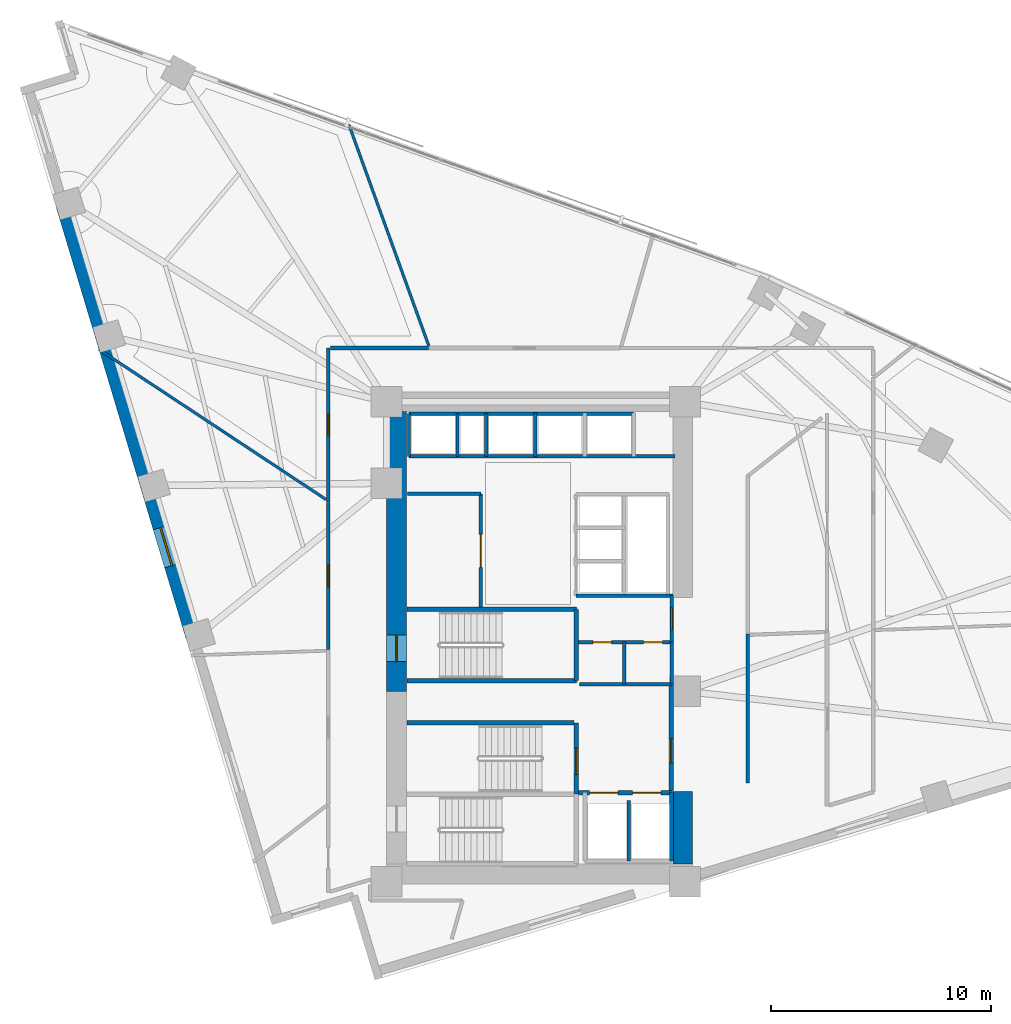
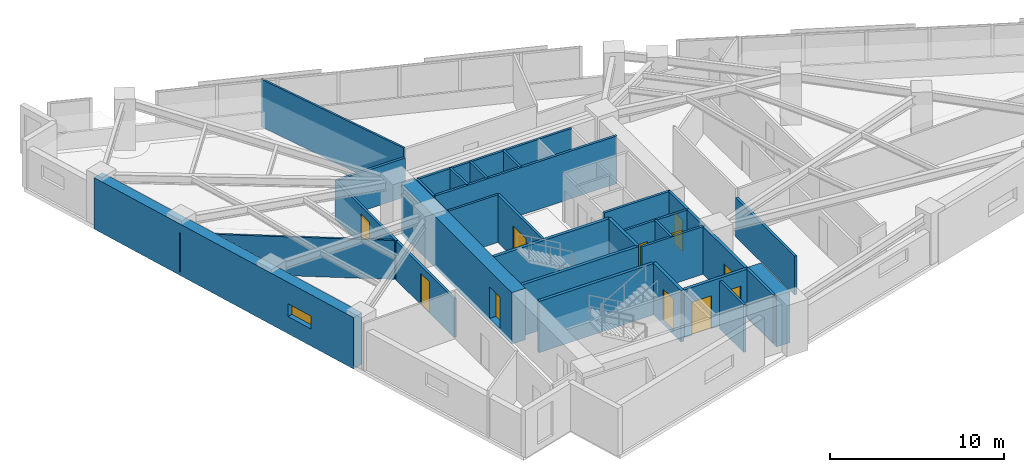
# One storey, part 10 of 15: 33 walls, 11 doors, 1 window, 12 openings.
"""IFC4 building model written with IfcOpenShell, lengths in metres."""

from ifc_helpers import new_model, si_unit, direction, frame, frame_2d, origin, place, context, subcontext, project, spatial, rectangle, extrude, material, layer, layer_set, type_object, element, fill, save


model = new_model("IFC4")

# Units and contexts
model_context = context("Model", 3, precision=1e-05, world=origin(), true_north=direction((0.0, 1.0)))
body_context = subcontext(model_context, "Body", "Model", "MODEL_VIEW")
ifc_project = project(units=[si_unit("LENGTHUNIT", "METRE"), si_unit("AREAUNIT", "SQUARE_METRE"), si_unit("VOLUMEUNIT", "CUBIC_METRE"), si_unit("PLANEANGLEUNIT", "RADIAN"), si_unit("MASSUNIT", "GRAM", prefix="KILO")], contexts=[model_context])

# Site, building, storey
site_placement = place(None, origin())
site = spatial("IfcSite", under=ifc_project, at=site_placement, CompositionType="ELEMENT")
building_placement = place(site_placement, origin())
building = spatial("IfcBuilding", under=site, at=building_placement, Name="Narakoshi Arena Tower", CompositionType="ELEMENT")
storey_placement = place(building_placement, frame((0.0, 0.0, 143.10009765625)))
storey = spatial("IfcBuildingStorey", under=building, at=storey_placement, Name="L38", CompositionType="ELEMENT", Elevation=143.10009765625)

# Wall
ifc_material_1 = material(Name="Concrete C60/75", Category="concrete")
ifc_layer_1 = layer(ifc_material_1, 0.89990234375)
ifc_layer_set_1 = layer_set([ifc_layer_1], Name="Concrete C60/75")
wall_type_1 = type_object("IfcWallType", Name="WL-CORE-900", PredefinedType="SHEAR", material=ifc_layer_set_1)
wall_1_placement = place(storey_placement, frame((85.449951171875, 35.5, -0.260009765625), z_axis=(0.0, 0.0, 1.0), x_axis=(0.0, 1.0, 0.0)))
element("IfcWall", 1, at=wall_1_placement, inside=storey, type_object=wall_type_1, Name="L38 Central Core Shear Wall CW-APX-E", PredefinedType="SHEAR", context=body_context, shape_type="SweptSolid", body=[
    extrude(rectangle(XDim=3.300048828125, YDim=0.89990234375, at=frame_2d((1.64990234375, 0.0))), origin(), (0.0, 0.0, 1.0), 3.599853515625),
])

# Wall, opening, door
wall_2_placement = place(storey_placement, frame((72.449951171875, 43.35009765625, -0.260009765625), z_axis=(0.0, 0.0, 1.0), x_axis=(0.0, 1.0, 0.0)))
wall_2 = element("IfcWall", 2, at=wall_2_placement, inside=storey, type_object=wall_type_1, Name="L38 Main Core Shear Wall CW-MN-W", PredefinedType="SHEAR", context=body_context, shape_type="SweptSolid", body=[
    extrude(rectangle(XDim=12.699951171875, YDim=0.89990234375, at=frame_2d((6.35009765625, 0.0))), origin(), (0.0, 0.0, 1.0), 3.599853515625),
])
opening_1_placement = place(wall_2_placement, frame((1.35009765625, 0.0, 0.260009765625)))
opening_1 = element("IfcOpeningElement", 3, at=opening_1_placement, cuts=wall_2, Name="Opening D-03", PredefinedType="OPENING", context=body_context, shape_type="SweptSolid", body=[
    extrude(rectangle(XDim=1.199951171875, YDim=2.199951171875, at=frame_2d((0.60009765625, 1.10009765625))), frame((0.0, 0.4599609375, 0.0), z_axis=(0.0, -1.0, 0.0), x_axis=(1.0, 0.0, 0.0)), (0.0, 0.0, 1.0), 0.919921875),
])
ifc_material_2 = material(Name="Painted galvanized steel", Category="steel")
door_type_1 = type_object("IfcDoorType", Name="DR-STR-1200", OperationType="NOTDEFINED", PredefinedType="USERDEFINED", material=ifc_material_2)
door_1_placement = place(opening_1_placement, frame((1.199951171875, 0.0, 0.0), z_axis=(0.0, 0.0, 1.0), x_axis=(-1.0, 0.0, 0.0)))
door_1 = element("IfcDoor", 4, at=door_1_placement, inside=storey, type_object=door_type_1, Name="DR-L38-006", ObjectType="EXITDOOR", OperationType="SINGLE_SWING_LEFT", OverallHeight=2.199951171875, OverallWidth=1.199951171875, PredefinedType="USERDEFINED", context=body_context, shape_type="SweptSolid", body=[
    extrude(rectangle(XDim=1.199951171875, YDim=2.199951171875, at=frame_2d((0.60009765625, 1.10009765625))), frame((0.0, 0.02490234375, 0.0), z_axis=(0.0, -1.0, 0.0), x_axis=(1.0, 0.0, 0.0)), (0.0, 0.0, 1.0), 0.050048828125),
])
fill(opening_1, door_1)

ifc_material_3 = material(Name="Gypsum plasterboard fire-rated partition")
ifc_layer_2 = layer(ifc_material_3, 0.1650390625)
ifc_layer_set_2 = layer_set([ifc_layer_2], Name="Gypsum plasterboard fire-rated partition")
wall_type_2 = type_object("IfcWallType", Name="WL-CORR-165", PredefinedType="PARTITIONING", material=ifc_layer_set_2)
wall_3_placement = place(storey_placement, frame((84.949951171875, 45.580078125, 0.0), z_axis=(0.0, 0.0, 1.0), x_axis=(0.0, 1.0, 0.0)))
wall_3 = element("IfcWall", 5, at=wall_3_placement, inside=storey, type_object=wall_type_2, Name="L38 Core Wall CPAS-E", PredefinedType="PARTITIONING", context=body_context, shape_type="SweptSolid", body=[
    extrude(rectangle(XDim=2.119873046875, YDim=0.1650390625, at=frame_2d((1.06005859375, 0.0))), origin(), (0.0, 0.0, 1.0), 3.33984375),
])
opening_2_placement = place(wall_3_placement, frame((0.56005859375, 0.0, 0.0)))
opening_2 = element("IfcOpeningElement", 6, at=opening_2_placement, cuts=wall_3, Name="Opening D-06", PredefinedType="OPENING", context=body_context, shape_type="SweptSolid", body=[
    extrude(rectangle(XDim=1.0, YDim=2.199951171875, at=frame_2d((0.5, 1.10009765625))), frame((0.0, 0.092529296875, 0.0), z_axis=(0.0, -1.0, 0.0), x_axis=(1.0, 0.0, 0.0)), (0.0, 0.0, 1.0), 0.18505859375),
])
ifc_material_4 = material(Name="Stained oak solid-core timber", Category="wood")
door_type_2 = type_object("IfcDoorType", Name="DR-OFF-1000", OperationType="NOTDEFINED", PredefinedType="DOOR", material=ifc_material_4)
door_2_placement = place(opening_2_placement, frame((1.0, 0.0, 0.0), z_axis=(0.0, 0.0, 1.0), x_axis=(-1.0, 0.0, 0.0)))
door_2 = element("IfcDoor", 7, at=door_2_placement, inside=storey, type_object=door_type_2, Name="DR-L38-007", OperationType="SINGLE_SWING_LEFT", OverallHeight=2.199951171875, OverallWidth=1.0, PredefinedType="DOOR", context=body_context, shape_type="SweptSolid", body=[
    extrude(rectangle(XDim=1.0, YDim=2.199951171875, at=frame_2d((0.5, 1.10009765625))), frame((0.0, 0.02490234375, 0.0), z_axis=(0.0, -1.0, 0.0), x_axis=(1.0, 0.0, 0.0)), (0.0, 0.0, 1.0), 0.050048828125),
])
fill(opening_2, door_2)

# Wall
wall_4_placement = place(storey_placement, frame((88.39990234375, 39.17578125, 0.0), z_axis=(0.0, 0.0, 1.0), x_axis=(0.0, 1.0, 0.0)))
element("IfcWall", 8, at=wall_4_placement, inside=storey, type_object=wall_type_2, Name="L38 Corridor Partition 03-3", PredefinedType="PARTITIONING", context=body_context, shape_type="SweptSolid", body=[
    extrude(rectangle(XDim=6.772705078125, YDim=0.1650390625, at=frame_2d((3.38623046875, 0.0))), origin(), (0.0, 0.0, 1.0), 2.724853515625),
])

# Wall, opening, door
wall_5_placement = place(storey_placement, frame((69.344970703125, 58.944091796875, 0.0), z_axis=(0.0, 0.0, 1.0), x_axis=(0.0, -1.0, 0.0)))
wall_5 = element("IfcWall", 9, at=wall_5_placement, inside=storey, type_object=wall_type_2, Name="L38 Corridor Partition 08-1", PredefinedType="PARTITIONING", context=body_context, shape_type="SweptSolid", body=[
    extrude(rectangle(XDim=6.988037109375, YDim=0.1650390625, at=frame_2d((3.494140625, 0.0))), origin(), (0.0, 0.0, 1.0), 2.724853515625),
])
opening_3_placement = place(wall_5_placement, frame((2.993896484375, 0.0, 0.0)))
opening_3 = element("IfcOpeningElement", 10, at=opening_3_placement, cuts=wall_5, Name="Opening D-06", PredefinedType="OPENING", context=body_context, shape_type="SweptSolid", body=[
    extrude(rectangle(XDim=1.0, YDim=2.199951171875, at=frame_2d((0.5, 1.10009765625))), frame((0.0, 0.092529296875, 0.0), z_axis=(0.0, -1.0, 0.0), x_axis=(1.0, 0.0, 0.0)), (0.0, 0.0, 1.0), 0.18505859375),
])
door_3_placement = place(opening_3_placement, frame((1.0, 0.0, 0.0), z_axis=(0.0, 0.0, 1.0), x_axis=(-1.0, 0.0, 0.0)))
door_3 = element("IfcDoor", 11, at=door_3_placement, inside=storey, type_object=door_type_2, Name="DR-L38-021", OperationType="SINGLE_SWING_LEFT", OverallHeight=2.199951171875, OverallWidth=1.0, PredefinedType="DOOR", context=body_context, shape_type="SweptSolid", body=[
    extrude(rectangle(XDim=1.0, YDim=2.199951171875, at=frame_2d((0.5, 1.10009765625))), frame((0.0, 0.02490234375, 0.0), z_axis=(0.0, -1.0, 0.0), x_axis=(1.0, 0.0, 0.0)), (0.0, 0.0, 1.0), 0.050048828125),
])
fill(opening_3, door_3)

# Wall
wall_6_placement = place(storey_placement, frame((73.890869140625, 58.944091796875, 0.0), z_axis=(0.0, 0.0, 1.0), x_axis=(-1.0, 0.0, 0.0)))
element("IfcWall", 12, at=wall_6_placement, inside=storey, type_object=wall_type_2, Name="L38 Corridor Partition 08-2", PredefinedType="PARTITIONING", context=body_context, shape_type="SweptSolid", body=[
    extrude(rectangle(XDim=4.451416015625, YDim=0.1650390625, at=frame_2d((2.2255859375, 0.0))), origin(), (0.0, 0.0, 1.0), 2.724853515625),
])

# Wall, opening, door
wall_7_placement = place(storey_placement, frame((69.344970703125, 51.927001953125, 0.0), z_axis=(0.0, 0.0, 1.0), x_axis=(0.0, -1.0, 0.0)))
wall_7 = element("IfcWall", 13, at=wall_7_placement, inside=storey, type_object=wall_type_2, Name="L38 Corridor Partition 09-1", PredefinedType="PARTITIONING", context=body_context, shape_type="SweptSolid", body=[
    extrude(rectangle(XDim=6.669921875, YDim=0.1650390625, at=frame_2d((3.3349609375, 0.0))), origin(), (0.0, 0.0, 1.0), 2.724853515625),
])
opening_4_placement = place(wall_7_placement, frame((2.835205078125, 0.0, 0.0)))
opening_4 = element("IfcOpeningElement", 14, at=opening_4_placement, cuts=wall_7, Name="Opening D-06", PredefinedType="OPENING", context=body_context, shape_type="SweptSolid", body=[
    extrude(rectangle(XDim=1.0, YDim=2.199951171875, at=frame_2d((0.5, 1.10009765625))), frame((0.0, 0.092529296875, 0.0), z_axis=(0.0, -1.0, 0.0), x_axis=(1.0, 0.0, 0.0)), (0.0, 0.0, 1.0), 0.18505859375),
])
door_4_placement = place(opening_4_placement, frame((1.0, 0.0, 0.0), z_axis=(0.0, 0.0, 1.0), x_axis=(-1.0, 0.0, 0.0)))
door_4 = element("IfcDoor", 15, at=door_4_placement, inside=storey, type_object=door_type_2, Name="DR-L38-022", OperationType="SINGLE_SWING_RIGHT", OverallHeight=2.199951171875, OverallWidth=1.0, PredefinedType="DOOR", context=body_context, shape_type="SweptSolid", body=[
    extrude(rectangle(XDim=1.0, YDim=2.199951171875, at=frame_2d((0.5, 1.10009765625))), frame((0.0, 0.02490234375, 0.0), z_axis=(0.0, -1.0, 0.0), x_axis=(1.0, 0.0, 0.0)), (0.0, 0.0, 1.0), 0.050048828125),
])
fill(opening_4, door_4)

# Wall, opening, window
ifc_layer_3 = layer(ifc_material_1, 0.699951171875)
ifc_layer_set_3 = layer_set([ifc_layer_3], Name="Concrete C60/75")
wall_type_3 = type_object("IfcWallType", Name="WL-LEG-700", PredefinedType="SHEAR", material=ifc_layer_set_3)
wall_8_placement = place(storey_placement, frame((57.322509765625, 65.434326171875, -0.260009765625), z_axis=(0.0, 0.0, 1.0), x_axis=(0.288188159352, -0.957573801234, 0.0)))
wall_8 = element("IfcWall", 16, at=wall_8_placement, inside=storey, type_object=wall_type_3, Name="L38 Architectural Concrete Structural Wall LEGB-2", PredefinedType="SHEAR", context=body_context, shape_type="SweptSolid", body=[
    extrude(rectangle(XDim=20.468994140625, YDim=0.699951171875, at=frame_2d((10.234375, 0.0))), origin(), (0.0, 0.0, 1.0), 3.599853515625),
])
opening_5_placement = place(wall_8_placement, frame((15.300048828125, 0.0, 1.199951171875)))
opening_5 = element("IfcOpeningElement", 17, at=opening_5_placement, cuts=wall_8, Name="Opening WN-02", PredefinedType="OPENING", context=body_context, shape_type="SweptSolid", body=[
    extrude(rectangle(XDim=1.800048828125, YDim=0.89990234375, at=frame_2d((0.89990234375, 0.449951171875))), frame((0.0, 0.35986328125, 0.0), z_axis=(0.0, -1.0, 0.0), x_axis=(1.0, 0.0, 0.0)), (0.0, 0.0, 1.0), 0.719970703125),
])
ifc_material_5 = material(Name="Bronze-tinted low-E laminated glass", Category="glass")
window_type = type_object("IfcWindowType", Name="WIN-SLT-18x09", PartitioningType="SINGLE_PANEL", PredefinedType="WINDOW", material=ifc_material_5)
window_placement = place(opening_5_placement, origin())
window = element("IfcWindow", 18, at=window_placement, inside=storey, type_object=window_type, Name="L38 LEGB2 Horizontal Slot Window 1", OverallHeight=0.89990234375, OverallWidth=1.800048828125, PartitioningType="SINGLE_PANEL", PredefinedType="WINDOW", context=body_context, shape_type="SweptSolid", body=[
    extrude(rectangle(XDim=1.800048828125, YDim=0.89990234375, at=frame_2d((0.89990234375, 0.449951171875))), frame((0.0, 0.030029296875, 0.0), z_axis=(0.0, -1.0, 0.0), x_axis=(1.0, 0.0, 0.0)), (0.0, 0.0, 1.0), 0.06005859375),
])
fill(opening_5, window)

# Walls
ifc_layer_4 = layer(ifc_material_3, 0.125)
ifc_layer_set_4 = layer_set([ifc_layer_4], Name="Gypsum plasterboard fire-rated partition")
wall_type_4 = type_object("IfcWallType", Name="WL-PART-125", PredefinedType="PARTITIONING", material=ifc_layer_set_4)
wall_9_placement = place(storey_placement, frame((73.91650390625, 59.03857421875, 0.0), z_axis=(0.0, 0.0, 1.0), x_axis=(-0.33969494852, 0.940535667559, 0.0)))
element("IfcWall", 19, at=wall_9_placement, inside=storey, type_object=wall_type_4, Name="L38 Inter-Room Partition 07-08", PredefinedType="PARTITIONING", context=body_context, shape_type="SweptSolid", body=[
    extrude(rectangle(XDim=10.695068359375, YDim=0.125, at=frame_2d((5.34765625, 0.0))), origin(), (0.0, 0.0, 1.0), 3.33984375),
])
wall_10_placement = place(storey_placement, frame((69.25048828125, 52.061767578125, 0.0), z_axis=(0.0, 0.0, 1.0), x_axis=(-0.834214251914, 0.551440460887, 0.0)))
element("IfcWall", 20, at=wall_10_placement, inside=storey, type_object=wall_type_4, Name="L38 Inter-Room Partition 08-09", PredefinedType="PARTITIONING", context=body_context, shape_type="SweptSolid", body=[
    extrude(rectangle(XDim=12.3740234375, YDim=0.125, at=frame_2d((6.18701171875, 0.0))), origin(), (0.0, 0.0, 1.0), 2.724853515625),
])
ifc_material_6 = material(Name="Concrete C40/50", Category="concrete")
ifc_layer_5 = layer(ifc_material_6, 0.280029296875)
ifc_layer_set_5 = layer_set([ifc_layer_5], Name="Concrete C40/50")
wall_type_5 = type_object("IfcWallType", Name="WL-RISER-280", PredefinedType="PLUMBINGWALL", material=ifc_layer_set_5)
wall_11_placement = place(storey_placement, frame((83.0, 35.64990234375, 0.0), z_axis=(0.0, 0.0, 1.0), x_axis=(0.0, 1.0, 0.0)))
element("IfcWall", 21, at=wall_11_placement, inside=storey, type_object=wall_type_5, Name="L38 Core Wall FF-DIV", PredefinedType="PLUMBINGWALL", context=body_context, shape_type="SweptSolid", body=[
    extrude(rectangle(XDim=2.75, YDim=0.159912109375, at=frame_2d((1.375, 0.0))), origin(), (0.0, 0.0, 1.0), 3.33984375),
])
wall_12_placement = place(storey_placement, frame((84.949951171875, 43.679931640625, 0.0), z_axis=(0.0, 0.0, 1.0), x_axis=(0.0, 1.0, 0.0)))
element("IfcWall", 22, at=wall_12_placement, inside=storey, type_object=wall_type_5, Name="L38 Core Wall RSR-E", PredefinedType="PLUMBINGWALL", context=body_context, shape_type="SweptSolid", body=[
    extrude(rectangle(XDim=1.900146484375, YDim=0.1650390625, at=frame_2d((0.9501953125, 0.0))), origin(), (0.0, 0.0, 1.0), 3.33984375),
])

# Wall, openings, doors
wall_13_placement = place(storey_placement, frame((80.719970703125, 45.580078125, 0.0), z_axis=(0.0, 0.0, 1.0), x_axis=(1.0, 0.0, 0.0)))
wall_13 = element("IfcWall", 23, at=wall_13_placement, inside=storey, type_object=wall_type_5, Name="L38 Core Wall RSR-N", PredefinedType="PLUMBINGWALL", context=body_context, shape_type="SweptSolid", body=[
    extrude(rectangle(XDim=4.22998046875, YDim=0.159912109375, at=frame_2d((2.114990234375, 0.0))), origin(), (0.0, 0.0, 1.0), 3.33984375),
])
opening_6_placement = place(wall_13_placement, frame((0.64990234375, 0.0, 0.0)))
opening_6 = element("IfcOpeningElement", 24, at=opening_6_placement, cuts=wall_13, Name="Opening D-10", PredefinedType="OPENING", context=body_context, shape_type="SweptSolid", body=[
    extrude(rectangle(XDim=0.85009765625, YDim=2.050048828125, at=frame_2d((0.425048828125, 1.02490234375))), frame((0.0, 0.08984375, 0.0), z_axis=(0.0, -1.0, 0.0), x_axis=(1.0, 0.0, 0.0)), (0.0, 0.0, 1.0), 0.179931640625),
])
opening_7_placement = place(wall_13_placement, frame((2.949951171875, 0.0, 0.0)))
opening_7 = element("IfcOpeningElement", 25, at=opening_7_placement, cuts=wall_13, Name="Opening D-10", PredefinedType="OPENING", context=body_context, shape_type="SweptSolid", body=[
    extrude(rectangle(XDim=0.85009765625, YDim=2.050048828125, at=frame_2d((0.425048828125, 1.02490234375))), frame((0.0, 0.08984375, 0.0), z_axis=(0.0, -1.0, 0.0), x_axis=(1.0, 0.0, 0.0)), (0.0, 0.0, 1.0), 0.179931640625),
])
door_type_3 = type_object("IfcDoorType", Name="DR-RSR-850", OperationType="NOTDEFINED", PredefinedType="DOOR", material=ifc_material_2)
door_5_placement = place(opening_6_placement, frame((0.85009765625, 0.0, 0.0), z_axis=(0.0, 0.0, 1.0), x_axis=(-1.0, 0.0, 0.0)))
door_5 = element("IfcDoor", 26, at=door_5_placement, inside=storey, type_object=door_type_3, Name="DR-L38-008", OperationType="SINGLE_SWING_LEFT", OverallHeight=2.050048828125, OverallWidth=0.85009765625, PredefinedType="DOOR", context=body_context, shape_type="SweptSolid", body=[
    extrude(rectangle(XDim=0.85009765625, YDim=2.050048828125, at=frame_2d((0.425048828125, 1.02490234375))), frame((0.0, 0.02490234375, 0.0), z_axis=(0.0, -1.0, 0.0), x_axis=(1.0, 0.0, 0.0)), (0.0, 0.0, 1.0), 0.050048828125),
])
fill(opening_6, door_5)
door_6_placement = place(opening_7_placement, frame((0.85009765625, 0.0, 0.0), z_axis=(0.0, 0.0, 1.0), x_axis=(-1.0, 0.0, 0.0)))
door_6 = element("IfcDoor", 27, at=door_6_placement, inside=storey, type_object=door_type_3, Name="DR-L38-009", OperationType="SINGLE_SWING_RIGHT", OverallHeight=2.050048828125, OverallWidth=0.85009765625, PredefinedType="DOOR", context=body_context, shape_type="SweptSolid", body=[
    extrude(rectangle(XDim=0.85009765625, YDim=2.050048828125, at=frame_2d((0.425048828125, 1.02490234375))), frame((0.0, 0.02490234375, 0.0), z_axis=(0.0, -1.0, 0.0), x_axis=(1.0, 0.0, 0.0)), (0.0, 0.0, 1.0), 0.050048828125),
])
fill(opening_7, door_6)

# Walls
wall_14_placement = place(storey_placement, frame((80.760009765625, 43.679931640625, 0.0), z_axis=(0.0, 0.0, 1.0), x_axis=(1.0, 0.0, 0.0)))
element("IfcWall", 28, at=wall_14_placement, inside=storey, type_object=wall_type_5, Name="L38 Core Wall RSR-S", PredefinedType="PLUMBINGWALL", context=body_context, shape_type="SweptSolid", body=[
    extrude(rectangle(XDim=4.18994140625, YDim=0.159912109375, at=frame_2d((2.094970703125, 0.0))), origin(), (0.0, 0.0, 1.0), 3.33984375),
])
wall_15_placement = place(storey_placement, frame((82.800048828125, 43.679931640625, 0.0), z_axis=(0.0, 0.0, 1.0), x_axis=(0.0, 1.0, 0.0)))
element("IfcWall", 29, at=wall_15_placement, inside=storey, type_object=wall_type_5, Name="L38 Core Wall RSR-M", PredefinedType="PLUMBINGWALL", context=body_context, shape_type="SweptSolid", body=[
    extrude(rectangle(XDim=1.900146484375, YDim=0.159912109375, at=frame_2d((0.9501953125, 0.0))), origin(), (0.0, 0.0, 1.0), 3.33984375),
])
for number, where, z_axis, x_axis, name in (
    (30, (73.02001953125, 54.02001953125, 0.0), (0.0, 0.0, 1.0), (0.0, 1.0, 0.0), "L38 Core Wall OBS-W"),
    (31, (75.219970703125, 54.02001953125, 0.0), (0.0, 0.0, 1.0), (0.0, 1.0, 0.0), "L38 Core Wall OBS-M"),
):
    element("IfcWall", number, at=place(storey_placement, frame(where, z_axis=z_axis, x_axis=x_axis)), inside=storey, type_object=wall_type_5, Name=name, PredefinedType="PLUMBINGWALL", context=body_context, shape_type="SweptSolid", body=[
        extrude(rectangle(XDim=1.93994140625, YDim=0.14990234375, at=frame_2d((0.969970703125, 0.0))), origin(), (0.0, 0.0, 1.0), 3.33984375),
    ])
wall_16_placement = place(storey_placement, frame((78.75, 54.02001953125, 0.0), z_axis=(0.0, 0.0, 1.0), x_axis=(0.0, 1.0, 0.0)))
element("IfcWall", 32, at=wall_16_placement, inside=storey, type_object=wall_type_5, Name="L38 Core Wall HR-D1", PredefinedType="PLUMBINGWALL", context=body_context, shape_type="SweptSolid", body=[
    extrude(rectangle(XDim=1.9599609375, YDim=0.14990234375, at=frame_2d((0.97998046875, 0.0))), origin(), (0.0, 0.0, 1.0), 3.33984375),
])

# Wall, opening, door
ifc_material_7 = material(Name="Concrete C50/60", Category="concrete")
ifc_layer_6 = layer(ifc_material_7, 0.35009765625)
ifc_layer_set_6 = layer_set([ifc_layer_6], Name="Concrete C50/60")
wall_type_6 = type_object("IfcWallType", Name="WL-SHAFT-350", PredefinedType="SOLIDWALL", material=ifc_layer_set_6)
wall_17_placement = place(storey_placement, frame((80.6201171875, 38.675048828125, -0.260009765625), z_axis=(0.0, 0.0, 1.0), x_axis=(0.0, 1.0, 0.0)))
wall_17 = element("IfcWall", 33, at=wall_17_placement, inside=storey, type_object=wall_type_6, Name="L38 Core Wall ST2-E", PredefinedType="SOLIDWALL", context=body_context, shape_type="SweptSolid", body=[
    extrude(rectangle(XDim=3.244873046875, YDim=0.199951171875, at=frame_2d((1.62255859375, 0.0))), origin(), (0.0, 0.0, 1.0), 3.599853515625),
])
opening_8_placement = place(wall_17_placement, frame((0.89990234375, 0.0, 0.260009765625)))
opening_8 = element("IfcOpeningElement", 34, at=opening_8_placement, cuts=wall_17, Name="Opening D-03", PredefinedType="OPENING", context=body_context, shape_type="SweptSolid", body=[
    extrude(rectangle(XDim=1.199951171875, YDim=2.199951171875, at=frame_2d((0.60009765625, 1.10009765625))), frame((0.0, 0.10986328125, 0.0), z_axis=(0.0, -1.0, 0.0), x_axis=(1.0, 0.0, 0.0)), (0.0, 0.0, 1.0), 0.219970703125),
])
door_7_placement = place(opening_8_placement, origin())
door_7 = element("IfcDoor", 35, at=door_7_placement, inside=storey, type_object=door_type_1, Name="DR-L38-002", ObjectType="EXITDOOR", OperationType="SINGLE_SWING_RIGHT", OverallHeight=2.199951171875, OverallWidth=1.199951171875, PredefinedType="USERDEFINED", context=body_context, shape_type="SweptSolid", body=[
    extrude(rectangle(XDim=1.199951171875, YDim=2.199951171875, at=frame_2d((0.60009765625, 1.10009765625))), frame((0.0, 0.02490234375, 0.0), z_axis=(0.0, -1.0, 0.0), x_axis=(1.0, 0.0, 0.0)), (0.0, 0.0, 1.0), 0.050048828125),
])
fill(opening_8, door_7)

# Wall, openings, doors
wall_18_placement = place(storey_placement, frame((80.719970703125, 38.75, 0.0), z_axis=(0.0, 0.0, 1.0), x_axis=(1.0, 0.0, 0.0)))
wall_18 = element("IfcWall", 36, at=wall_18_placement, inside=storey, type_object=wall_type_6, Name="L38 Core Wall FF-N", PredefinedType="SOLIDWALL", context=body_context, shape_type="SweptSolid", body=[
    extrude(rectangle(XDim=4.260009765625, YDim=0.199951171875, at=frame_2d((2.1298828125, 0.0))), origin(), (0.0, 0.0, 1.0), 3.33984375),
])
opening_9_placement = place(wall_18_placement, frame((0.5, 0.0, 0.0)))
opening_9 = element("IfcOpeningElement", 37, at=opening_9_placement, cuts=wall_18, Name="Opening LD-02", PredefinedType="OPENING", context=body_context, shape_type="SweptSolid", body=[
    extrude(rectangle(XDim=1.300048828125, YDim=2.300048828125, at=frame_2d((0.64990234375, 1.14990234375))), frame((0.0, 0.10986328125, 0.0), z_axis=(0.0, -1.0, 0.0), x_axis=(1.0, 0.0, 0.0)), (0.0, 0.0, 1.0), 0.219970703125),
])
opening_10_placement = place(wall_18_placement, frame((2.449951171875, 0.0, 0.0)))
opening_10 = element("IfcOpeningElement", 38, at=opening_10_placement, cuts=wall_18, Name="Opening LD-02", PredefinedType="OPENING", context=body_context, shape_type="SweptSolid", body=[
    extrude(rectangle(XDim=1.300048828125, YDim=2.300048828125, at=frame_2d((0.64990234375, 1.14990234375))), frame((0.0, 0.10986328125, 0.0), z_axis=(0.0, -1.0, 0.0), x_axis=(1.0, 0.0, 0.0)), (0.0, 0.0, 1.0), 0.219970703125),
])
ifc_material_8 = material(Name="Brushed bronze stainless steel", Category="steel")
door_type_4 = type_object("IfcDoorType", Name="DR-LFT-1300", OperationType="DOUBLE_DOOR_SLIDING", PredefinedType="DOOR", material=ifc_material_8)
door_8_placement = place(opening_9_placement, origin())
door_8 = element("IfcDoor", 39, at=door_8_placement, inside=storey, type_object=door_type_4, Name="DR-L38-003", OperationType="DOUBLE_DOOR_SLIDING", OverallHeight=2.300048828125, OverallWidth=1.300048828125, PredefinedType="DOOR", context=body_context, shape_type="SweptSolid", body=[
    extrude(rectangle(XDim=1.300048828125, YDim=2.300048828125, at=frame_2d((0.64990234375, 1.14990234375))), frame((0.0, 0.02490234375, 0.0), z_axis=(0.0, -1.0, 0.0), x_axis=(1.0, 0.0, 0.0)), (0.0, 0.0, 1.0), 0.050048828125),
])
fill(opening_9, door_8)
door_9_placement = place(opening_10_placement, origin())
door_9 = element("IfcDoor", 40, at=door_9_placement, inside=storey, type_object=door_type_4, Name="DR-L38-004", OperationType="DOUBLE_DOOR_SLIDING", OverallHeight=2.300048828125, OverallWidth=1.300048828125, PredefinedType="DOOR", context=body_context, shape_type="SweptSolid", body=[
    extrude(rectangle(XDim=1.300048828125, YDim=2.300048828125, at=frame_2d((0.64990234375, 1.14990234375))), frame((0.0, 0.02490234375, 0.0), z_axis=(0.0, -1.0, 0.0), x_axis=(1.0, 0.0, 0.0)), (0.0, 0.0, 1.0), 0.050048828125),
])
fill(opening_10, door_9)

# Wall
wall_19_placement = place(storey_placement, frame((84.949951171875, 35.64990234375, 0.0), z_axis=(0.0, 0.0, 1.0), x_axis=(0.0, 1.0, 0.0)))
element("IfcWall", 41, at=wall_19_placement, inside=storey, type_object=wall_type_6, Name="L38 Core Wall FF-E", PredefinedType="SOLIDWALL", context=body_context, shape_type="SweptSolid", body=[
    extrude(rectangle(XDim=3.10009765625, YDim=0.179931640625, at=frame_2d((1.550048828125, 0.0))), origin(), (0.0, 0.0, 1.0), 3.33984375),
])

# Wall, opening, door
wall_20_placement = place(storey_placement, frame((84.919921875, 38.85009765625, 0.0), z_axis=(0.0, 0.0, 1.0), x_axis=(0.0, 1.0, 0.0)))
wall_20 = element("IfcWall", 42, at=wall_20_placement, inside=storey, type_object=wall_type_6, Name="L38 Core Wall FFLOB-E", PredefinedType="SOLIDWALL", context=body_context, shape_type="SweptSolid", body=[
    extrude(rectangle(XDim=4.829833984375, YDim=0.199951171875, at=frame_2d((2.4150390625, 0.0))), origin(), (0.0, 0.0, 1.0), 3.33984375),
])
opening_11_placement = place(wall_20_placement, frame((1.25, 0.0, 0.0)))
opening_11 = element("IfcOpeningElement", 43, at=opening_11_placement, cuts=wall_20, Name="Opening D-04", PredefinedType="OPENING", context=body_context, shape_type="SweptSolid", body=[
    extrude(rectangle(XDim=1.10009765625, YDim=2.199951171875, at=frame_2d((0.550048828125, 1.10009765625))), frame((0.0, 0.10986328125, 0.0), z_axis=(0.0, -1.0, 0.0), x_axis=(1.0, 0.0, 0.0)), (0.0, 0.0, 1.0), 0.219970703125),
])
door_type_5 = type_object("IfcDoorType", Name="DR-FFL-1100", OperationType="NOTDEFINED", PredefinedType="DOOR", material=ifc_material_2)
door_10_placement = place(opening_11_placement, frame((1.10009765625, 0.0, 0.0), z_axis=(0.0, 0.0, 1.0), x_axis=(-1.0, 0.0, 0.0)))
door_10 = element("IfcDoor", 44, at=door_10_placement, inside=storey, type_object=door_type_5, Name="DR-L38-005", OperationType="SINGLE_SWING_RIGHT", OverallHeight=2.199951171875, OverallWidth=1.10009765625, PredefinedType="DOOR", context=body_context, shape_type="SweptSolid", body=[
    extrude(rectangle(XDim=1.10009765625, YDim=2.199951171875, at=frame_2d((0.550048828125, 1.10009765625))), frame((0.0, 0.02490234375, 0.0), z_axis=(0.0, -1.0, 0.0), x_axis=(1.0, 0.0, 0.0)), (0.0, 0.0, 1.0), 0.050048828125),
])
fill(opening_11, door_10)

# Walls
wall_21_placement = place(storey_placement, frame((72.919921875, 41.919921875, -0.260009765625), z_axis=(0.0, 0.0, 1.0), x_axis=(1.0, 0.0, 0.0)))
element("IfcWall", 45, at=wall_21_placement, inside=storey, type_object=wall_type_6, Name="L38 Core Wall ST2-N", PredefinedType="SOLIDWALL", context=body_context, shape_type="SweptSolid", body=[
    extrude(rectangle(XDim=7.580078125, YDim=0.199951171875, at=frame_2d((3.7900390625, 0.0))), origin(), (0.0, 0.0, 1.0), 3.599853515625),
])
for number, where, z_axis, x_axis, name in (
    (46, (72.919921875, 43.830078125, -0.260009765625), (0.0, 0.0, 1.0), (1.0, 0.0, 0.0), "L38 Core Wall ST3-S"),
    (47, (72.919921875, 47.070068359375, -0.260009765625), (0.0, 0.0, 1.0), (1.0, 0.0, 0.0), "L38 Core Wall ST3-N"),
):
    element("IfcWall", number, at=place(storey_placement, frame(where, z_axis=z_axis, x_axis=x_axis)), inside=storey, type_object=wall_type_6, Name=name, PredefinedType="SOLIDWALL", context=body_context, shape_type="SweptSolid", body=[
        extrude(rectangle(XDim=7.7001953125, YDim=0.199951171875, at=frame_2d((3.85009765625, 0.0))), origin(), (0.0, 0.0, 1.0), 3.599853515625),
    ])
wall_22_placement = place(storey_placement, frame((80.6201171875, 43.830078125, -0.260009765625), z_axis=(0.0, 0.0, 1.0), x_axis=(0.0, 1.0, 0.0)))
element("IfcWall", 48, at=wall_22_placement, inside=storey, type_object=wall_type_6, Name="L38 Core Wall ST3-E", PredefinedType="SOLIDWALL", context=body_context, shape_type="SweptSolid", body=[
    extrude(rectangle(XDim=3.239990234375, YDim=0.199951171875, at=frame_2d((1.6201171875, 0.0))), origin(), (0.0, 0.0, 1.0), 3.599853515625),
])

# Wall, opening, door
wall_23_placement = place(storey_placement, frame((76.280029296875, 47.179931640625, 0.0), z_axis=(0.0, 0.0, 1.0), x_axis=(0.0, 1.0, 0.0)))
wall_23 = element("IfcWall", 49, at=wall_23_placement, inside=storey, type_object=wall_type_6, Name="L38 Core Wall LR-E", PredefinedType="SOLIDWALL", context=body_context, shape_type="SweptSolid", body=[
    extrude(rectangle(XDim=5.14013671875, YDim=0.159912109375, at=frame_2d((2.570068359375, 0.0))), origin(), (0.0, 0.0, 1.0), 3.33984375),
])
opening_12_placement = place(wall_23_placement, frame((1.800048828125, 0.0, 0.0)))
opening_12 = element("IfcOpeningElement", 50, at=opening_12_placement, cuts=wall_23, Name="Opening D-09", PredefinedType="OPENING", context=body_context, shape_type="SweptSolid", body=[
    extrude(rectangle(XDim=1.5, YDim=2.25, at=frame_2d((0.75, 1.125))), frame((0.0, 0.08984375, 0.0), z_axis=(0.0, -1.0, 0.0), x_axis=(1.0, 0.0, 0.0)), (0.0, 0.0, 1.0), 0.179931640625),
])
door_type_6 = type_object("IfcDoorType", Name="DR-PLT-1500", OperationType="DOUBLE_DOOR_SINGLE_SWING", PredefinedType="DOOR", material=ifc_material_2)
door_11_placement = place(opening_12_placement, frame((1.5, 0.0, 0.0), z_axis=(0.0, 0.0, 1.0), x_axis=(-1.0, 0.0, 0.0)))
door_11 = element("IfcDoor", 51, at=door_11_placement, inside=storey, type_object=door_type_6, Name="DR-L38-010", OperationType="DOUBLE_DOOR_SINGLE_SWING", OverallHeight=2.25, OverallWidth=1.5, PredefinedType="DOOR", context=body_context, shape_type="SweptSolid", body=[
    extrude(rectangle(XDim=1.5, YDim=2.25, at=frame_2d((0.75, 1.125))), frame((0.0, 0.02490234375, 0.0), z_axis=(0.0, -1.0, 0.0), x_axis=(1.0, 0.0, 0.0)), (0.0, 0.0, 1.0), 0.050048828125),
])
fill(opening_12, door_11)

# Walls
wall_24_placement = place(storey_placement, frame((72.949951171875, 52.320068359375, 0.0), z_axis=(0.0, 0.0, 1.0), x_axis=(1.0, 0.0, 0.0)))
element("IfcWall", 52, at=wall_24_placement, inside=storey, type_object=wall_type_6, Name="L38 Core Wall LR-N", PredefinedType="SOLIDWALL", context=body_context, shape_type="SweptSolid", body=[
    extrude(rectangle(XDim=3.330078125, YDim=0.14990234375, at=frame_2d((1.6650390625, 0.0))), origin(), (0.0, 0.0, 1.0), 3.33984375),
])
wall_25_placement = place(storey_placement, frame((80.60009765625, 47.699951171875, 0.0), z_axis=(0.0, 0.0, 1.0), x_axis=(1.0, 0.0, 0.0)))
element("IfcWall", 53, at=wall_25_placement, inside=storey, type_object=wall_type_6, Name="L38 Core Wall MR-S", PredefinedType="SOLIDWALL", context=body_context, shape_type="SweptSolid", body=[
    extrude(rectangle(XDim=4.39990234375, YDim=0.159912109375, at=frame_2d((2.199951171875, 0.0))), origin(), (0.0, 0.0, 1.0), 3.33984375),
])
wall_26_placement = place(storey_placement, frame((73.02001953125, 54.02001953125, 0.0), z_axis=(0.0, 0.0, 1.0), x_axis=(1.0, 0.0, 0.0)))
element("IfcWall", 54, at=wall_26_placement, inside=storey, type_object=wall_type_6, Name="L38 Core Wall NSHF-S", PredefinedType="SOLIDWALL", context=body_context, shape_type="SweptSolid", body=[
    extrude(rectangle(XDim=12.080078125, YDim=0.159912109375, at=frame_2d((6.0400390625, 0.0))), origin(), (0.0, 0.0, 1.0), 3.33984375),
])
wall_27_placement = place(storey_placement, frame((73.02001953125, 55.9599609375, 0.0), z_axis=(0.0, 0.0, 1.0), x_axis=(1.0, 0.0, 0.0)))
element("IfcWall", 55, at=wall_27_placement, inside=storey, type_object=wall_type_6, Name="L38 Core Wall OBS-N", PredefinedType="SOLIDWALL", context=body_context, shape_type="SweptSolid", body=[
    extrude(rectangle(XDim=3.5, YDim=0.14990234375, at=frame_2d((1.75, 0.0))), origin(), (0.0, 0.0, 1.0), 3.33984375),
])
wall_28_placement = place(storey_placement, frame((76.52001953125, 54.02001953125, 0.0), z_axis=(0.0, 0.0, 1.0), x_axis=(0.0, 1.0, 0.0)))
element("IfcWall", 56, at=wall_28_placement, inside=storey, type_object=wall_type_6, Name="L38 Core Wall OBS-E", PredefinedType="SOLIDWALL", context=body_context, shape_type="SweptSolid", body=[
    extrude(rectangle(XDim=1.93994140625, YDim=0.14990234375, at=frame_2d((0.969970703125, 0.0))), origin(), (0.0, 0.0, 1.0), 3.33984375),
])
wall_29_placement = place(storey_placement, frame((76.52001953125, 55.9599609375, 0.0), z_axis=(0.0, 0.0, 1.0), x_axis=(1.0, 0.0, 0.0)))
element("IfcWall", 57, at=wall_29_placement, inside=storey, type_object=wall_type_6, Name="L38 Core Wall HR-N", PredefinedType="SOLIDWALL", context=body_context, shape_type="SweptSolid", body=[
    extrude(rectangle(XDim=6.699951171875, YDim=0.14990234375, at=frame_2d((3.35009765625, 0.0))), origin(), (0.0, 0.0, 1.0), 3.33984375),
])

save(model, "model.ifc")
